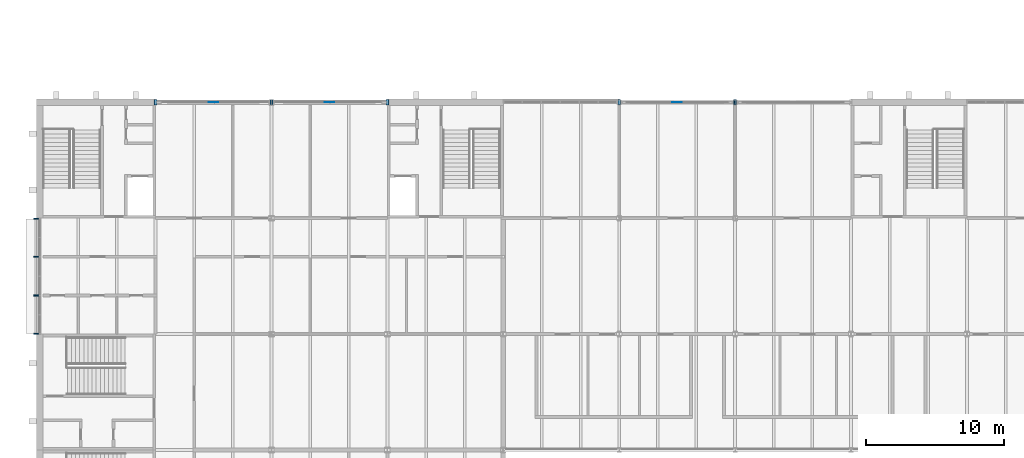
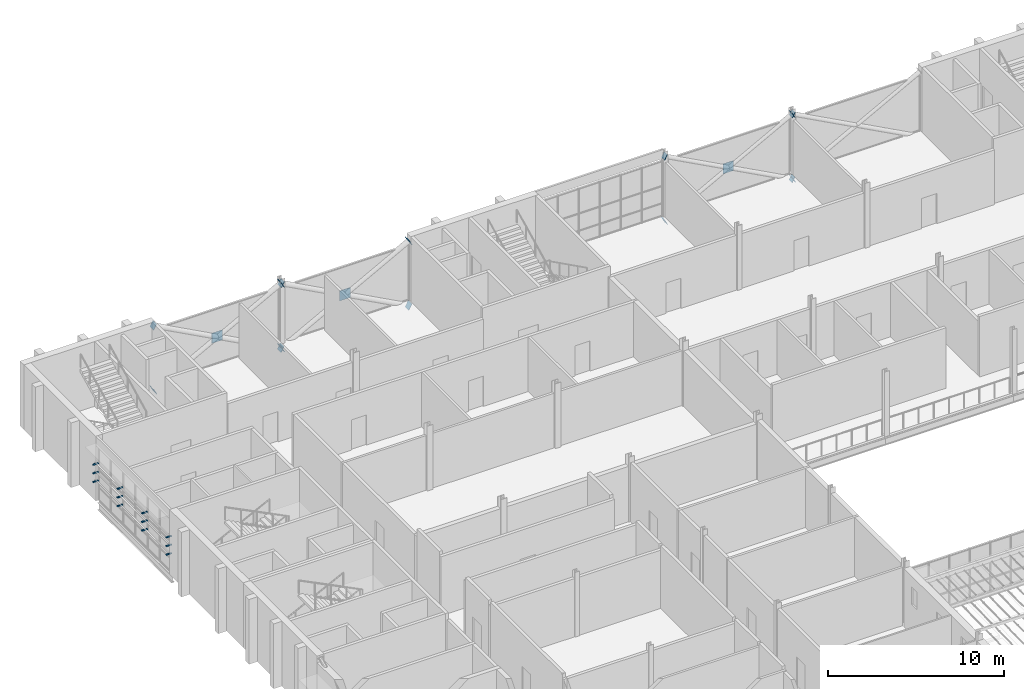
# One storey, part 110 of 129: 29 discrete accessories.
"""IFC4 building model written with IfcOpenShell, lengths in metres."""

from ifc_helpers import new_model, si_unit, direction, frame, origin, origin_2d, place, context, subcontext, project, spatial, rectangle, extrude, material, material_profile, profile_set, type_object, element, save


model = new_model("IFC4")

# Units and contexts
model_context = context("Model", 3, precision=1e-05, world=origin(), true_north=direction((0.0, 1.0)))
body_context = subcontext(model_context, "Body", "Model", "MODEL_VIEW")
ifc_project = project(units=[si_unit("LENGTHUNIT", "METRE"), si_unit("AREAUNIT", "SQUARE_METRE"), si_unit("VOLUMEUNIT", "CUBIC_METRE"), si_unit("PLANEANGLEUNIT", "RADIAN"), si_unit("MASSUNIT", "GRAM", prefix="KILO")], contexts=[model_context])

# Site, building, storey
site_placement = place(None, origin())
site = spatial("IfcSite", under=ifc_project, at=site_placement, CompositionType="ELEMENT")
building_placement = place(site_placement, origin())
building = spatial("IfcBuilding", under=site, at=building_placement, Name="Ardhachandra Cancer Care Centre", CompositionType="ELEMENT")
storey_placement = place(building_placement, frame((0.0, 0.0, 4.5)))
storey = spatial("IfcBuildingStorey", under=building, at=storey_placement, Name="L01", CompositionType="ELEMENT", Elevation=4.5)

# Discrete accessories
ifc_material_1 = material(Name="Steel E250 (IS 2062)", Category="steel")
ifc_material_profile_1 = material_profile(ifc_material_1, rectangle(XDim=0.373046875, YDim=0.373046875, at=origin_2d()), Name="PL 373x373x20")
ifc_profile_set_1 = profile_set([ifc_material_profile_1], Name="Steel E250 (IS 2062)")
discrete_accessory_type_1 = type_object("IfcDiscreteAccessoryType", Name="Brace end plate 373 x 373 x 20", PredefinedType="BRACKET", material=ifc_profile_set_1)
discrete_accessory_1_placement = place(storey_placement, frame((52.800048828125, 96.60009765625, -0.39990234375), z_axis=(0.884384752847, 0.0, 0.466758619558), x_axis=(0.0, 1.0, 0.0)))
element("IfcDiscreteAccessory", 1, at=discrete_accessory_1_placement, inside=storey, type_object=discrete_accessory_type_1, Name="Brace end plate V1-X966-528 L01 A0", PredefinedType="BRACKET", context=body_context, shape_type="SweptSolid", body=[
    extrude(rectangle(XDim=0.373046875, YDim=0.373046875, at=origin_2d()), origin(), (0.0, 0.0, 1.0), 0.019775390625),
])
discrete_accessory_2_placement = place(storey_placement, frame((61.199951171875, 96.60009765625, 4.10009765625), z_axis=(-0.879291966537, 0.0, -0.476283148541), x_axis=(0.0, -1.0, 0.0)))
element("IfcDiscreteAccessory", 2, at=discrete_accessory_2_placement, inside=storey, type_object=discrete_accessory_type_1, Name="Brace end plate V1-X966-528 L01 A1", PredefinedType="BRACKET", context=body_context, shape_type="SweptSolid", body=[
    extrude(rectangle(XDim=0.373046875, YDim=0.373046875, at=origin_2d()), origin(), (0.0, 0.0, 1.0), 0.02001953125),
])
discrete_accessory_3_placement = place(storey_placement, frame((61.199951171875, 96.60009765625, -0.39990234375), z_axis=(-0.884384752847, 0.0, 0.466758619558), x_axis=(0.0, -1.0, 0.0)))
element("IfcDiscreteAccessory", 3, at=discrete_accessory_3_placement, inside=storey, type_object=discrete_accessory_type_1, Name="Brace end plate V1-X966-528 L01 B10", PredefinedType="BRACKET", context=body_context, shape_type="SweptSolid", body=[
    extrude(rectangle(XDim=0.373046875, YDim=0.373046875, at=origin_2d()), origin(), (0.0, 0.0, 1.0), 0.019775390625),
])
discrete_accessory_4_placement = place(storey_placement, frame((52.800048828125, 96.60009765625, 4.10009765625), z_axis=(0.879291966537, 0.0, -0.476283148541), x_axis=(0.0, 1.0, 0.0)))
element("IfcDiscreteAccessory", 4, at=discrete_accessory_4_placement, inside=storey, type_object=discrete_accessory_type_1, Name="Brace end plate V1-X966-528 L01 B21", PredefinedType="BRACKET", context=body_context, shape_type="SweptSolid", body=[
    extrude(rectangle(XDim=0.373046875, YDim=0.373046875, at=origin_2d()), origin(), (0.0, 0.0, 1.0), 0.02001953125),
])
discrete_accessory_5_placement = place(storey_placement, frame((61.199951171875, 96.60009765625, -0.39990234375), z_axis=(0.884384752847, 0.0, 0.466758619558), x_axis=(0.0, 1.0, 0.0)))
element("IfcDiscreteAccessory", 5, at=discrete_accessory_5_placement, inside=storey, type_object=discrete_accessory_type_1, Name="Brace end plate V1-X966-612 L01 A0", PredefinedType="BRACKET", context=body_context, shape_type="SweptSolid", body=[
    extrude(rectangle(XDim=0.373046875, YDim=0.373046875, at=origin_2d()), origin(), (0.0, 0.0, 1.0), 0.019775390625),
])
discrete_accessory_6_placement = place(storey_placement, frame((61.199951171875, 96.60009765625, 4.10009765625), z_axis=(0.879291966537, 0.0, -0.476283148541), x_axis=(0.0, 1.0, 0.0)))
element("IfcDiscreteAccessory", 6, at=discrete_accessory_6_placement, inside=storey, type_object=discrete_accessory_type_1, Name="Brace end plate V1-X966-612 L01 B21", PredefinedType="BRACKET", context=body_context, shape_type="SweptSolid", body=[
    extrude(rectangle(XDim=0.373046875, YDim=0.373046875, at=origin_2d()), origin(), (0.0, 0.0, 1.0), 0.02001953125),
])
ifc_material_2 = material(Name="Steel E250 (IS 2062)", Category="steel")
ifc_material_profile_2 = material_profile(ifc_material_2, rectangle(XDim=0.423828125, YDim=0.423828125, at=origin_2d()), Name="PL 424x424x20")
ifc_profile_set_2 = profile_set([ifc_material_profile_2], Name="Steel E250 (IS 2062)")
discrete_accessory_type_2 = type_object("IfcDiscreteAccessoryType", Name="Brace end plate 424 x 424 x 20", PredefinedType="BRACKET", material=ifc_profile_set_2)
discrete_accessory_7_placement = place(storey_placement, frame((19.199951171875, 96.60009765625, -0.39990234375), z_axis=(0.884384752847, 0.0, 0.466758619558), x_axis=(0.0, 1.0, 0.0)))
element("IfcDiscreteAccessory", 7, at=discrete_accessory_7_placement, inside=storey, type_object=discrete_accessory_type_2, Name="Brace end plate V6-X966-192 L01 A0", PredefinedType="BRACKET", context=body_context, shape_type="SweptSolid", body=[
    extrude(rectangle(XDim=0.423828125, YDim=0.423828125, at=origin_2d()), origin(), (0.0, 0.0, 1.0), 0.019775390625),
])
discrete_accessory_8_placement = place(storey_placement, frame((27.60009765625, 96.60009765625, 4.10009765625), z_axis=(-0.882018256262, 0.0, -0.471215232798), x_axis=(0.0, -1.0, 0.0)))
element("IfcDiscreteAccessory", 8, at=discrete_accessory_8_placement, inside=storey, type_object=discrete_accessory_type_2, Name="Brace end plate V6-X966-192 L01 A1", PredefinedType="BRACKET", context=body_context, shape_type="SweptSolid", body=[
    extrude(rectangle(XDim=0.423828125, YDim=0.423828125, at=origin_2d()), origin(), (0.0, 0.0, 1.0), 0.020263671875),
])
for number, where, z_axis, x_axis, name in (
    (9, (27.60009765625, 96.60009765625, -0.39990234375), (-0.887017774073, 0.0, 0.461735279655), (0.0, -1.0, 0.0), "Brace end plate V6-X966-192 L01 B10"),
    (10, (19.199951171875, 96.60009765625, 4.10009765625), (0.879291966537, 0.0, -0.476283148541), (0.0, 1.0, 0.0), "Brace end plate V6-X966-192 L01 B21"),
):
    element("IfcDiscreteAccessory", number, at=place(storey_placement, frame(where, z_axis=z_axis, x_axis=x_axis)), inside=storey, type_object=discrete_accessory_type_2, Name=name, PredefinedType="BRACKET", context=body_context, shape_type="SweptSolid", body=[
        extrude(rectangle(XDim=0.423828125, YDim=0.423828125, at=origin_2d()), origin(), (0.0, 0.0, 1.0), 0.02001953125),
    ])
discrete_accessory_9_placement = place(storey_placement, frame((27.60009765625, 96.60009765625, -0.39990234375), z_axis=(0.884384752847, 0.0, 0.466758619558), x_axis=(0.0, 1.0, 0.0)))
element("IfcDiscreteAccessory", 11, at=discrete_accessory_9_placement, inside=storey, type_object=discrete_accessory_type_2, Name="Brace end plate V6-X966-276 L01 A0", PredefinedType="BRACKET", context=body_context, shape_type="SweptSolid", body=[
    extrude(rectangle(XDim=0.423828125, YDim=0.423828125, at=origin_2d()), origin(), (0.0, 0.0, 1.0), 0.019775390625),
])
discrete_accessory_10_placement = place(storey_placement, frame((36.0, 96.60009765625, 4.10009765625), z_axis=(-0.879291966537, 0.0, -0.476283148541), x_axis=(0.0, -1.0, 0.0)))
element("IfcDiscreteAccessory", 12, at=discrete_accessory_10_placement, inside=storey, type_object=discrete_accessory_type_2, Name="Brace end plate V6-X966-276 L01 A1", PredefinedType="BRACKET", context=body_context, shape_type="SweptSolid", body=[
    extrude(rectangle(XDim=0.423828125, YDim=0.423828125, at=origin_2d()), origin(), (0.0, 0.0, 1.0), 0.02001953125),
])
discrete_accessory_11_placement = place(storey_placement, frame((36.0, 96.60009765625, -0.39990234375), z_axis=(-0.884384752847, 0.0, 0.466758619558), x_axis=(0.0, -1.0, 0.0)))
element("IfcDiscreteAccessory", 13, at=discrete_accessory_11_placement, inside=storey, type_object=discrete_accessory_type_2, Name="Brace end plate V6-X966-276 L01 B10", PredefinedType="BRACKET", context=body_context, shape_type="SweptSolid", body=[
    extrude(rectangle(XDim=0.423828125, YDim=0.423828125, at=origin_2d()), origin(), (0.0, 0.0, 1.0), 0.019775390625),
])
discrete_accessory_12_placement = place(storey_placement, frame((27.60009765625, 96.60009765625, 4.10009765625), z_axis=(0.879291966537, 0.0, -0.476283148541), x_axis=(0.0, 1.0, 0.0)))
element("IfcDiscreteAccessory", 14, at=discrete_accessory_12_placement, inside=storey, type_object=discrete_accessory_type_2, Name="Brace end plate V6-X966-276 L01 B21", PredefinedType="BRACKET", context=body_context, shape_type="SweptSolid", body=[
    extrude(rectangle(XDim=0.423828125, YDim=0.423828125, at=origin_2d()), origin(), (0.0, 0.0, 1.0), 0.02001953125),
])
ifc_material_3 = material(Name="Steel E250 (IS 2062)", Category="steel")
ifc_material_profile_3 = material_profile(ifc_material_3, rectangle(XDim=0.699951171875, YDim=0.699951171875, at=origin_2d()), Name="PL 700x700x20")
ifc_profile_set_3 = profile_set([ifc_material_profile_3], Name="Steel E250 (IS 2062)")
discrete_accessory_type_3 = type_object("IfcDiscreteAccessoryType", Name="Brace node plate 700 x 700 x 20", PredefinedType="BRACKET", material=ifc_profile_set_3)
for number, where, z_axis, x_axis, name in (
    (15, (23.39990234375, 96.590087890625, 1.85009765625), (0.0, 1.0, 0.0), (-1.0, 0.0, 0.0), "Brace node plate V6-X966-192 L01"),
    (16, (31.800048828125, 96.590087890625, 1.85009765625), (0.0, 1.0, 0.0), (-1.0, 0.0, 0.0), "Brace node plate V6-X966-276 L01"),
    (17, (57.0, 96.590087890625, 1.85009765625), (0.0, 1.0, 0.0), (-1.0, 0.0, 0.0), "Brace node plate V1-X966-528 L01"),
):
    element("IfcDiscreteAccessory", number, at=place(storey_placement, frame(where, z_axis=z_axis, x_axis=x_axis)), inside=storey, type_object=discrete_accessory_type_3, Name=name, PredefinedType="BRACKET", context=body_context, shape_type="SweptSolid", body=[
        extrude(rectangle(XDim=0.699951171875, YDim=0.699951171875, at=origin_2d()), origin(), (0.0, 0.0, 1.0), 0.02001953125),
    ])
ifc_material_4 = material(Name="Galvanised flat steel (Steel E250 (IS 2062))", Category="steel")
discrete_accessory_type_4 = type_object("IfcDiscreteAccessoryType", Name="Louvre bracket 80 x 350", PredefinedType="BRACKET", material=ifc_material_4)
for number, where, z_axis, x_axis, name in (
    (18, (10.544921875, 79.830078125, 1.38427734375), (0.0, 0.0, 1.0), (0.0, 1.0, 0.0), "Louvre bracket L01/w/0010800_0079800 1.1"),
    (19, (10.544921875, 82.60009765625, 1.38427734375), (0.0, 0.0, 1.0), (0.0, 1.0, 0.0), "Louvre bracket L01/w/0010800_0079800 1.2"),
    (20, (10.544921875, 85.39990234375, 1.38427734375), (0.0, 0.0, 1.0), (0.0, 1.0, 0.0), "Louvre bracket L01/w/0010800_0079800 1.3"),
    (21, (10.544921875, 88.169921875, 1.38427734375), (0.0, 0.0, 1.0), (0.0, 1.0, 0.0), "Louvre bracket L01/w/0010800_0079800 1.4"),
    (22, (10.544921875, 79.830078125, 1.984375), (0.0, 0.0, 1.0), (0.0, 1.0, 0.0), "Louvre bracket L01/w/0010800_0079800 2.1"),
    (23, (10.544921875, 82.60009765625, 1.984375), (0.0, 0.0, 1.0), (0.0, 1.0, 0.0), "Louvre bracket L01/w/0010800_0079800 2.2"),
    (24, (10.544921875, 85.39990234375, 1.984375), (0.0, 0.0, 1.0), (0.0, 1.0, 0.0), "Louvre bracket L01/w/0010800_0079800 2.3"),
    (25, (10.544921875, 88.169921875, 1.984375), (0.0, 0.0, 1.0), (0.0, 1.0, 0.0), "Louvre bracket L01/w/0010800_0079800 2.4"),
    (26, (10.544921875, 79.830078125, 2.58447265625), (0.0, 0.0, 1.0), (0.0, 1.0, 0.0), "Louvre bracket L01/w/0010800_0079800 3.1"),
    (27, (10.544921875, 82.60009765625, 2.58447265625), (0.0, 0.0, 1.0), (0.0, 1.0, 0.0), "Louvre bracket L01/w/0010800_0079800 3.2"),
    (28, (10.544921875, 85.39990234375, 2.58447265625), (0.0, 0.0, 1.0), (0.0, 1.0, 0.0), "Louvre bracket L01/w/0010800_0079800 3.3"),
    (29, (10.544921875, 88.169921875, 2.58447265625), (0.0, 0.0, 1.0), (0.0, 1.0, 0.0), "Louvre bracket L01/w/0010800_0079800 3.4"),
):
    element("IfcDiscreteAccessory", number, at=place(storey_placement, frame(where, z_axis=z_axis, x_axis=x_axis)), inside=storey, type_object=discrete_accessory_type_4, Name=name, PredefinedType="BRACKET", context=body_context, shape_type="SweptSolid", body=[
        extrude(rectangle(XDim=0.080078125, YDim=0.35009765625, at=origin_2d()), origin(), (0.0, 0.0, 1.0), 0.050048828125),
    ])

save(model, "model.ifc")
